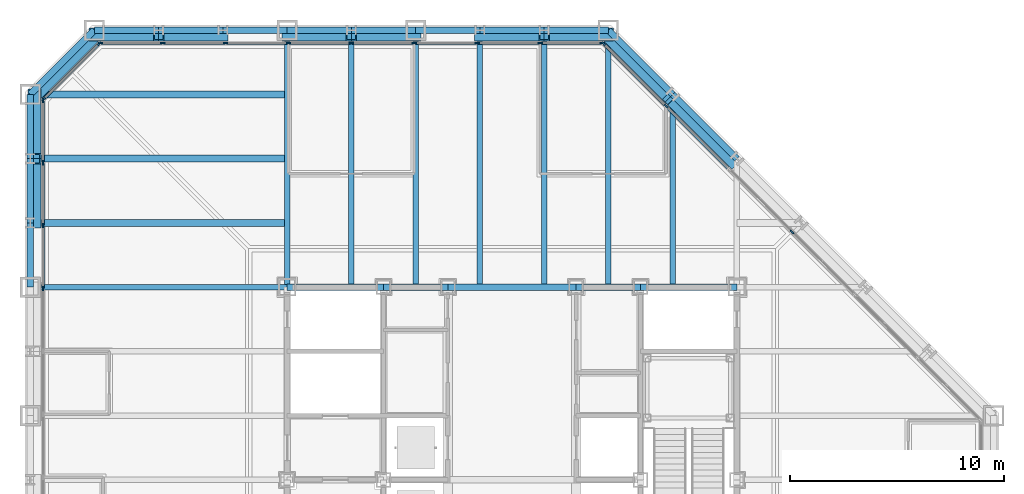
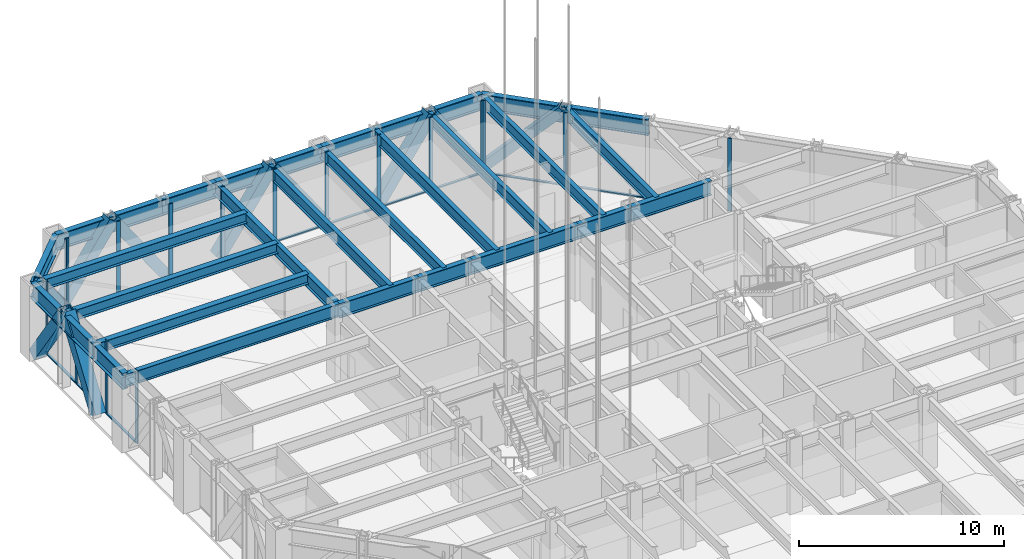
# One storey, part 7 of 26: 43 members, 30 beams, 4 elements without a shape of their own.
"""IFC4 building model written with IfcOpenShell, lengths in metres."""

from ifc_helpers import new_model, si_unit, direction, frame, origin, origin_2d, place, context, subcontext, project, spatial, rectangle, hollow_rectangle, i_section, extrude, material, layer, layer_set, material_profile, profile_set, type_object, element, aggregate, save


model = new_model("IFC4")

# Units and contexts
model_context = context("Model", 3, precision=1e-05, world=origin(), true_north=direction((0.0, 1.0)))
body_context = subcontext(model_context, "Body", "Model", "MODEL_VIEW")
ifc_project = project(units=[si_unit("LENGTHUNIT", "METRE"), si_unit("AREAUNIT", "SQUARE_METRE"), si_unit("VOLUMEUNIT", "CUBIC_METRE"), si_unit("PLANEANGLEUNIT", "RADIAN"), si_unit("MASSUNIT", "GRAM", prefix="KILO")], contexts=[model_context])

# Site, building, storey
site_placement = place(None, origin())
site = spatial("IfcSite", under=ifc_project, at=site_placement, CompositionType="ELEMENT")
building_placement = place(site_placement, origin())
building = spatial("IfcBuilding", under=site, at=building_placement, Name="Chuquiago Exchange Tower", CompositionType="ELEMENT")
storey_placement = place(building_placement, frame((0.0, 0.0, 102.300048828125)))
storey = spatial("IfcBuildingStorey", under=building, at=storey_placement, Name="L21", CompositionType="ELEMENT", Elevation=102.300048828125)

# Beams
ifc_material_1 = material(Name="Steel ASTM A992", Category="steel")
ifc_material_profile_1 = material_profile(ifc_material_1, i_section(OverallWidth=0.25390625, OverallDepth=0.683349609375, WebThickness=0.012451171875, FlangeThickness=0.018798828125, at=origin_2d()), Name="W27X94")
ifc_profile_set_1 = profile_set([ifc_material_profile_1], Name="Steel ASTM A992")
beam_type_1 = type_object("IfcBeamType", Name="B1 W27X94", PredefinedType="BEAM", material=ifc_profile_set_1)
for number, where, z_axis, x_axis, name in (
    (1, (15.0, 33.0, 3.998291015625), (0.0, 1.0, 0.0), (-1.0, 0.0, 0.0), "FB-L22-infill-15_33-15_45-0"),
    (2, (18.0, 33.0, 3.998291015625), (0.0, 1.0, 0.0), (-1.0, 0.0, 0.0), "FB-L22-infill-18_33-18_45-0"),
    (3, (21.0, 33.0, 3.998291015625), (0.0, 1.0, 0.0), (-1.0, 0.0, 0.0), "FB-L22-infill-21_33-21_45-0"),
    (4, (24.0, 33.0, 3.998291015625), (0.0, 1.0, 0.0), (-1.0, 0.0, 0.0), "FB-L22-infill-24_33-24_45-0"),
    (5, (27.0, 33.0, 3.998291015625), (0.0, 1.0, 0.0), (-1.0, 0.0, 0.0), "FB-L22-infill-27_33-27_45-0"),
):
    element("IfcBeam", number, at=place(storey_placement, frame(where, z_axis=z_axis, x_axis=x_axis)), inside=storey, type_object=beam_type_1, Name=name, PredefinedType="BEAM", context=body_context, shape_type="SweptSolid", body=[
        extrude(i_section(OverallWidth=0.25390625, OverallDepth=0.683349609375, WebThickness=0.012451171875, FlangeThickness=0.018798828125, at=origin_2d()), origin(), (0.0, 0.0, 1.0), 12.0),
    ])
beam_1_placement = place(storey_placement, frame((30.0, 33.0, 3.998291015625), z_axis=(0.0, 1.0, 0.0), x_axis=(-1.0, 0.0, 0.0)))
element("IfcBeam", 6, at=beam_1_placement, inside=storey, type_object=beam_type_1, Name="FB-L22-infill-30_33-30_42-0", PredefinedType="BEAM", context=body_context, shape_type="SweptSolid", body=[
    extrude(i_section(OverallWidth=0.25390625, OverallDepth=0.683349609375, WebThickness=0.012451171875, FlangeThickness=0.018798828125, at=origin_2d()), origin(), (0.0, 0.0, 1.0), 9.0),
])
ifc_material_2 = material(Name="Steel ASTM A992", Category="steel")
ifc_material_profile_2 = material_profile(ifc_material_2, i_section(OverallWidth=0.3251953125, OverallDepth=0.612060546875, WebThickness=0.0126953125, FlangeThickness=0.01904296875, at=origin_2d()), Name="W24X104")
ifc_profile_set_2 = profile_set([ifc_material_profile_2], Name="Steel ASTM A992")
beam_type_2 = type_object("IfcBeamType", Name="B2 W24X104", PredefinedType="BEAM", material=ifc_profile_set_2)
for number, where, z_axis, x_axis, name in (
    (7, (12.0, 36.0, 4.033935546875), (-1.0, 0.0, 0.0), (0.0, -1.0, 0.0), "FB-L22-corner-12_36--0_36-0"),
    (8, (12.0, 39.0, 4.033935546875), (-1.0, 0.0, 0.0), (0.0, -1.0, 0.0), "FB-L22-corner-12_39--0_39-0"),
    (9, (12.0, 42.0, 4.033935546875), (-1.0, 0.0, 0.0), (0.0, -1.0, 0.0), "FB-L22-corner-12_42--0_42-0"),
):
    element("IfcBeam", number, at=place(storey_placement, frame(where, z_axis=z_axis, x_axis=x_axis)), inside=storey, type_object=beam_type_2, Name=name, PredefinedType="BEAM", context=body_context, shape_type="SweptSolid", body=[
        extrude(i_section(OverallWidth=0.3251953125, OverallDepth=0.612060546875, WebThickness=0.0126953125, FlangeThickness=0.01904296875, at=origin_2d()), origin(), (0.0, 0.0, 1.0), 12.0),
    ])
ifc_material_3 = material(Name="Steel ASTM A992", Category="steel")
ifc_material_profile_3 = material_profile(ifc_material_3, i_section(OverallWidth=0.2919921875, OverallDepth=0.8583984375, WebThickness=0.01708984375, FlangeThickness=0.031005859375, at=origin_2d()), Name="W33X169")
ifc_profile_set_3 = profile_set([ifc_material_profile_3], Name="Steel ASTM A992")
beam_type_3 = type_object("IfcBeamType", Name="B3 W33X169", PredefinedType="BEAM", material=ifc_profile_set_3)
beam_2_placement = place(storey_placement, frame((12.0, 33.0, 3.91064453125), z_axis=(1.0, 0.0, 0.0), x_axis=(0.0, 1.0, 0.0)))
element("IfcBeam", 10, at=beam_2_placement, inside=storey, type_object=beam_type_3, Name="CB-L22-12_33-16.5_33", PredefinedType="BEAM", context=body_context, shape_type="SweptSolid", body=[
    extrude(i_section(OverallWidth=0.2919921875, OverallDepth=0.8583984375, WebThickness=0.01708984375, FlangeThickness=0.031005859375, at=origin_2d()), origin(), (0.0, 0.0, 1.0), 4.5),
])
beam_3_placement = place(storey_placement, frame((16.5, 33.0, 3.91064453125), z_axis=(1.0, 0.0, 0.0), x_axis=(0.0, 1.0, 0.0)))
element("IfcBeam", 11, at=beam_3_placement, inside=storey, type_object=beam_type_3, Name="CB-L22-16.5_33-19.5_33", PredefinedType="BEAM", context=body_context, shape_type="SweptSolid", body=[
    extrude(i_section(OverallWidth=0.2919921875, OverallDepth=0.8583984375, WebThickness=0.01708984375, FlangeThickness=0.031005859375, at=origin_2d()), origin(), (0.0, 0.0, 1.0), 3.0),
])
beam_4_placement = place(storey_placement, frame((19.5, 33.0, 3.91064453125), z_axis=(1.0, 0.0, 0.0), x_axis=(0.0, 1.0, 0.0)))
element("IfcBeam", 12, at=beam_4_placement, inside=storey, type_object=beam_type_3, Name="CB-L22-19.5_33-25.5_33", PredefinedType="BEAM", context=body_context, shape_type="SweptSolid", body=[
    extrude(i_section(OverallWidth=0.2919921875, OverallDepth=0.8583984375, WebThickness=0.01708984375, FlangeThickness=0.031005859375, at=origin_2d()), origin(), (0.0, 0.0, 1.0), 6.0),
])
beam_5_placement = place(storey_placement, frame((25.5, 33.0, 3.91064453125), z_axis=(1.0, 0.0, 0.0), x_axis=(0.0, 1.0, 0.0)))
element("IfcBeam", 13, at=beam_5_placement, inside=storey, type_object=beam_type_3, Name="CB-L22-25.5_33-28.5_33", PredefinedType="BEAM", context=body_context, shape_type="SweptSolid", body=[
    extrude(i_section(OverallWidth=0.2919921875, OverallDepth=0.8583984375, WebThickness=0.01708984375, FlangeThickness=0.031005859375, at=origin_2d()), origin(), (0.0, 0.0, 1.0), 3.0),
])
beam_6_placement = place(storey_placement, frame((28.5, 33.0, 3.91064453125), z_axis=(1.0, 0.0, 0.0), x_axis=(0.0, 1.0, 0.0)))
element("IfcBeam", 14, at=beam_6_placement, inside=storey, type_object=beam_type_3, Name="CB-L22-28.5_33-33_33", PredefinedType="BEAM", context=body_context, shape_type="SweptSolid", body=[
    extrude(i_section(OverallWidth=0.2919921875, OverallDepth=0.8583984375, WebThickness=0.01708984375, FlangeThickness=0.031005859375, at=origin_2d()), origin(), (0.0, 0.0, 1.0), 4.5),
])

# Curtain wall, members
ifc_material_4 = material(Name="Aluminium curtain wall system", Category="aluminium")
ifc_layer_1 = layer(ifc_material_4, 0.22509765625)
ifc_layer_set_1 = layer_set([ifc_layer_1], Name="CW2 office curtain wall")
curtain_wall_type_1 = type_object("IfcCurtainWallType", Name="CW2 office curtain wall", PredefinedType="NOTDEFINED", material=ifc_layer_set_1)
curtain_wall_1_placement = place(storey_placement, origin())
curtain_wall_1 = element("IfcCurtainWall", 15, at=curtain_wall_1_placement, inside=storey, type_object=curtain_wall_type_1, Name="CW2 curtain wall L21", PredefinedType="NOTDEFINED")
ifc_material_5 = material(Name="Aluminium mullion, pale anodised", Category="aluminium")
ifc_material_profile_4 = material_profile(ifc_material_5, rectangle(XDim=0.06494140625, YDim=0.22509765625, at=origin_2d()), Name="AL 65x225")
ifc_profile_set_4 = profile_set([ifc_material_profile_4], Name="Aluminium mullion, pale anodised")
member_type_1 = type_object("IfcMemberType", Name="CW2-M mullion 65x225", PredefinedType="MULLION", material=ifc_profile_set_4)
member_1_placement = place(storey_placement, frame((26.718994140625, 44.39990234375, 0.0), z_axis=(0.0, 0.0, 1.0), x_axis=(0.0, -1.0, 0.0)))
member_1 = element("IfcMember", 16, at=member_1_placement, type_object=member_type_1, Name="CW2 mullion 1", PredefinedType="MULLION", context=body_context, shape_type="SweptSolid", body=[
    extrude(rectangle(XDim=0.06494140625, YDim=0.22509765625, at=origin_2d()), origin(), (0.0, 0.0, 1.0), 4.33984375),
])
member_2_placement = place(storey_placement, frame((23.813720703125, 44.39990234375, 0.0), z_axis=(0.0, 0.0, 1.0), x_axis=(0.0, -1.0, 0.0)))
member_2 = element("IfcMember", 17, at=member_2_placement, type_object=member_type_1, Name="CW2 mullion 2", PredefinedType="MULLION", context=body_context, shape_type="SweptSolid", body=[
    extrude(rectangle(XDim=0.06494140625, YDim=0.22509765625, at=origin_2d()), origin(), (0.0, 0.0, 1.0), 4.33984375),
])
member_3_placement = place(storey_placement, frame((20.875732421875, 44.39990234375, 0.0), z_axis=(0.0, 0.0, 1.0), x_axis=(0.0, -1.0, 0.0)))
member_3 = element("IfcMember", 18, at=member_3_placement, type_object=member_type_1, Name="CW2 mullion 3", PredefinedType="MULLION", context=body_context, shape_type="SweptSolid", body=[
    extrude(rectangle(XDim=0.06494140625, YDim=0.22509765625, at=origin_2d()), origin(), (0.0, 0.0, 1.0), 4.33984375),
])
member_4_placement = place(storey_placement, frame((17.93798828125, 44.39990234375, 0.0), z_axis=(0.0, 0.0, 1.0), x_axis=(0.0, -1.0, 0.0)))
member_4 = element("IfcMember", 19, at=member_4_placement, type_object=member_type_1, Name="CW2 mullion 4", PredefinedType="MULLION", context=body_context, shape_type="SweptSolid", body=[
    extrude(rectangle(XDim=0.06494140625, YDim=0.22509765625, at=origin_2d()), origin(), (0.0, 0.0, 1.0), 4.33984375),
])
member_5_placement = place(storey_placement, frame((15.0, 44.39990234375, 0.0), z_axis=(0.0, 0.0, 1.0), x_axis=(0.0, -1.0, 0.0)))
member_5 = element("IfcMember", 20, at=member_5_placement, type_object=member_type_1, Name="CW2 mullion 5", PredefinedType="MULLION", context=body_context, shape_type="SweptSolid", body=[
    extrude(rectangle(XDim=0.06494140625, YDim=0.22509765625, at=origin_2d()), origin(), (0.0, 0.0, 1.0), 4.33984375),
])
member_6_placement = place(storey_placement, frame((12.06201171875, 44.39990234375, 0.0), z_axis=(0.0, 0.0, 1.0), x_axis=(0.0, -1.0, 0.0)))
member_6 = element("IfcMember", 21, at=member_6_placement, type_object=member_type_1, Name="CW2 mullion 6", PredefinedType="MULLION", context=body_context, shape_type="SweptSolid", body=[
    extrude(rectangle(XDim=0.06494140625, YDim=0.22509765625, at=origin_2d()), origin(), (0.0, 0.0, 1.0), 4.33984375),
])
member_7_placement = place(storey_placement, frame((9.124267578125, 44.39990234375, 0.0), z_axis=(0.0, 0.0, 1.0), x_axis=(0.0, -1.0, 0.0)))
member_7 = element("IfcMember", 22, at=member_7_placement, type_object=member_type_1, Name="CW2 mullion 7", PredefinedType="MULLION", context=body_context, shape_type="SweptSolid", body=[
    extrude(rectangle(XDim=0.06494140625, YDim=0.22509765625, at=origin_2d()), origin(), (0.0, 0.0, 1.0), 4.33984375),
])
member_8_placement = place(storey_placement, frame((6.186279296875, 44.39990234375, 0.0), z_axis=(0.0, 0.0, 1.0), x_axis=(0.0, -1.0, 0.0)))
member_8 = element("IfcMember", 23, at=member_8_placement, type_object=member_type_1, Name="CW2 mullion 8", PredefinedType="MULLION", context=body_context, shape_type="SweptSolid", body=[
    extrude(rectangle(XDim=0.06494140625, YDim=0.22509765625, at=origin_2d()), origin(), (0.0, 0.0, 1.0), 4.33984375),
])
member_9_placement = place(storey_placement, frame((3.281005859375, 44.39990234375, 0.0), z_axis=(0.0, 0.0, 1.0), x_axis=(0.0, -1.0, 0.0)))
member_9 = element("IfcMember", 24, at=member_9_placement, type_object=member_type_1, Name="CW2 mullion 9", PredefinedType="MULLION", context=body_context, shape_type="SweptSolid", body=[
    extrude(rectangle(XDim=0.06494140625, YDim=0.22509765625, at=origin_2d()), origin(), (0.0, 0.0, 1.0), 4.33984375),
])

curtain_wall_2_placement = place(storey_placement, origin())
curtain_wall_2 = element("IfcCurtainWall", 25, at=curtain_wall_2_placement, inside=storey, type_object=curtain_wall_type_1, Name="CW2 curtain wall L21", PredefinedType="NOTDEFINED")
member_10_placement = place(storey_placement, frame((0.60009765625, 41.718994140625, 0.0), z_axis=(0.0, 0.0, 1.0), x_axis=(1.0, 0.0, 0.0)))
member_10 = element("IfcMember", 26, at=member_10_placement, type_object=member_type_1, Name="CW2 mullion 1", PredefinedType="MULLION", context=body_context, shape_type="SweptSolid", body=[
    extrude(rectangle(XDim=0.06494140625, YDim=0.22509765625, at=origin_2d()), origin(), (0.0, 0.0, 1.0), 4.33984375),
])
member_11_placement = place(storey_placement, frame((0.60009765625, 38.813720703125, 0.0), z_axis=(0.0, 0.0, 1.0), x_axis=(1.0, 0.0, 0.0)))
member_11 = element("IfcMember", 27, at=member_11_placement, type_object=member_type_1, Name="CW2 mullion 2", PredefinedType="MULLION", context=body_context, shape_type="SweptSolid", body=[
    extrude(rectangle(XDim=0.06494140625, YDim=0.22509765625, at=origin_2d()), origin(), (0.0, 0.0, 1.0), 4.33984375),
])
member_12_placement = place(storey_placement, frame((0.60009765625, 35.875732421875, 0.0), z_axis=(0.0, 0.0, 1.0), x_axis=(1.0, 0.0, 0.0)))
member_12 = element("IfcMember", 28, at=member_12_placement, type_object=member_type_1, Name="CW2 mullion 3", PredefinedType="MULLION", context=body_context, shape_type="SweptSolid", body=[
    extrude(rectangle(XDim=0.06494140625, YDim=0.22509765625, at=origin_2d()), origin(), (0.0, 0.0, 1.0), 4.33984375),
])
member_13_placement = place(storey_placement, frame((0.60009765625, 32.93798828125, 0.0), z_axis=(0.0, 0.0, 1.0), x_axis=(1.0, 0.0, 0.0)))
member_13 = element("IfcMember", 29, at=member_13_placement, type_object=member_type_1, Name="CW2 mullion 4", PredefinedType="MULLION", context=body_context, shape_type="SweptSolid", body=[
    extrude(rectangle(XDim=0.06494140625, YDim=0.22509765625, at=origin_2d()), origin(), (0.0, 0.0, 1.0), 4.33984375),
])

# Member
ifc_material_6 = material(Name="Aluminium transom, pale anodised", Category="aluminium")
ifc_material_profile_5 = material_profile(ifc_material_6, rectangle(XDim=0.139892578125, YDim=0.06494140625, at=origin_2d()), Name="AL 140x65")
ifc_profile_set_5 = profile_set([ifc_material_profile_5], Name="Aluminium transom, pale anodised")
member_type_2 = type_object("IfcMemberType", Name="CW2-T transom 65x140", PredefinedType="MULLION", material=ifc_profile_set_5)
member_14_placement = place(storey_placement, frame((26.6865234375, 44.39990234375, 0.032470703125), z_axis=(-1.0, 0.0, 0.0), x_axis=(0.0, -1.0, 0.0)))
member_14 = element("IfcMember", 30, at=member_14_placement, type_object=member_type_2, Name="CW2 transom 1.1", PredefinedType="MULLION", context=body_context, shape_type="SweptSolid", body=[
    extrude(rectangle(XDim=0.139892578125, YDim=0.06494140625, at=origin_2d()), origin(), (0.0, 0.0, 1.0), 2.84033203125),
])

member_15_placement = place(storey_placement, frame((23.781005859375, 44.39990234375, 0.032470703125), z_axis=(-1.0, 0.0, 0.0), x_axis=(0.0, -1.0, 0.0)))
member_15 = element("IfcMember", 31, at=member_15_placement, type_object=member_type_2, Name="CW2 transom 2.1", PredefinedType="MULLION", context=body_context, shape_type="SweptSolid", body=[
    extrude(rectangle(XDim=0.139892578125, YDim=0.06494140625, at=origin_2d()), origin(), (0.0, 0.0, 1.0), 2.872802734375),
])

member_16_placement = place(storey_placement, frame((20.84326171875, 44.39990234375, 0.032470703125), z_axis=(-1.0, 0.0, 0.0), x_axis=(0.0, -1.0, 0.0)))
member_16 = element("IfcMember", 32, at=member_16_placement, type_object=member_type_2, Name="CW2 transom 3.1", PredefinedType="MULLION", context=body_context, shape_type="SweptSolid", body=[
    extrude(rectangle(XDim=0.139892578125, YDim=0.06494140625, at=origin_2d()), origin(), (0.0, 0.0, 1.0), 2.872802734375),
])

member_17_placement = place(storey_placement, frame((17.9052734375, 44.39990234375, 0.032470703125), z_axis=(-1.0, 0.0, 0.0), x_axis=(0.0, -1.0, 0.0)))
member_17 = element("IfcMember", 33, at=member_17_placement, type_object=member_type_2, Name="CW2 transom 4.1", PredefinedType="MULLION", context=body_context, shape_type="SweptSolid", body=[
    extrude(rectangle(XDim=0.139892578125, YDim=0.06494140625, at=origin_2d()), origin(), (0.0, 0.0, 1.0), 2.872802734375),
])

member_18_placement = place(storey_placement, frame((14.967529296875, 44.39990234375, 0.032470703125), z_axis=(-1.0, 0.0, 0.0), x_axis=(0.0, -1.0, 0.0)))
member_18 = element("IfcMember", 34, at=member_18_placement, type_object=member_type_2, Name="CW2 transom 5.1", PredefinedType="MULLION", context=body_context, shape_type="SweptSolid", body=[
    extrude(rectangle(XDim=0.139892578125, YDim=0.06494140625, at=origin_2d()), origin(), (0.0, 0.0, 1.0), 2.872802734375),
])

member_19_placement = place(storey_placement, frame((12.029541015625, 44.39990234375, 0.032470703125), z_axis=(-1.0, 0.0, 0.0), x_axis=(0.0, -1.0, 0.0)))
member_19 = element("IfcMember", 35, at=member_19_placement, type_object=member_type_2, Name="CW2 transom 6.1", PredefinedType="MULLION", context=body_context, shape_type="SweptSolid", body=[
    extrude(rectangle(XDim=0.139892578125, YDim=0.06494140625, at=origin_2d()), origin(), (0.0, 0.0, 1.0), 2.872802734375),
])

member_20_placement = place(storey_placement, frame((9.091796875, 44.39990234375, 0.032470703125), z_axis=(-1.0, 0.0, 0.0), x_axis=(0.0, -1.0, 0.0)))
member_20 = element("IfcMember", 36, at=member_20_placement, type_object=member_type_2, Name="CW2 transom 7.1", PredefinedType="MULLION", context=body_context, shape_type="SweptSolid", body=[
    extrude(rectangle(XDim=0.139892578125, YDim=0.06494140625, at=origin_2d()), origin(), (0.0, 0.0, 1.0), 2.872802734375),
])

member_21_placement = place(storey_placement, frame((6.15380859375, 44.39990234375, 0.032470703125), z_axis=(-1.0, 0.0, 0.0), x_axis=(0.0, -1.0, 0.0)))
member_21 = element("IfcMember", 37, at=member_21_placement, type_object=member_type_2, Name="CW2 transom 8.1", PredefinedType="MULLION", context=body_context, shape_type="SweptSolid", body=[
    extrude(rectangle(XDim=0.139892578125, YDim=0.06494140625, at=origin_2d()), origin(), (0.0, 0.0, 1.0), 2.84033203125),
])

aggregate(curtain_wall_1, [member_1, member_2, member_3, member_4, member_5, member_6, member_7, member_8, member_9, member_14, member_15, member_16, member_17, member_18, member_19, member_20, member_21])

member_22_placement = place(storey_placement, frame((0.60009765625, 41.6865234375, 0.032470703125), z_axis=(0.0, -1.0, 0.0), x_axis=(1.0, 0.0, 0.0)))
member_22 = element("IfcMember", 38, at=member_22_placement, type_object=member_type_2, Name="CW2 transom 1.1", PredefinedType="MULLION", context=body_context, shape_type="SweptSolid", body=[
    extrude(rectangle(XDim=0.139892578125, YDim=0.06494140625, at=origin_2d()), origin(), (0.0, 0.0, 1.0), 2.84033203125),
])

member_23_placement = place(storey_placement, frame((0.60009765625, 38.781005859375, 0.032470703125), z_axis=(0.0, -1.0, 0.0), x_axis=(1.0, 0.0, 0.0)))
member_23 = element("IfcMember", 39, at=member_23_placement, type_object=member_type_2, Name="CW2 transom 2.1", PredefinedType="MULLION", context=body_context, shape_type="SweptSolid", body=[
    extrude(rectangle(XDim=0.139892578125, YDim=0.06494140625, at=origin_2d()), origin(), (0.0, 0.0, 1.0), 2.872802734375),
])

member_24_placement = place(storey_placement, frame((0.60009765625, 35.84326171875, 0.032470703125), z_axis=(0.0, -1.0, 0.0), x_axis=(1.0, 0.0, 0.0)))
member_24 = element("IfcMember", 40, at=member_24_placement, type_object=member_type_2, Name="CW2 transom 3.1", PredefinedType="MULLION", context=body_context, shape_type="SweptSolid", body=[
    extrude(rectangle(XDim=0.139892578125, YDim=0.06494140625, at=origin_2d()), origin(), (0.0, 0.0, 1.0), 2.872802734375),
])

aggregate(curtain_wall_2, [member_10, member_11, member_12, member_13, member_22, member_23, member_24])

# Curtain wall, members
ifc_material_7 = material(Name="Aluminium curtain wall system", Category="aluminium")
ifc_layer_2 = layer(ifc_material_7, 0.199951171875)
ifc_layer_set_2 = layer_set([ifc_layer_2], Name="CW3 facet curtain wall")
curtain_wall_type_2 = type_object("IfcCurtainWallType", Name="CW3 facet curtain wall", PredefinedType="NOTDEFINED", material=ifc_layer_set_2)
curtain_wall_3_placement = place(storey_placement, origin())
curtain_wall_3 = element("IfcCurtainWall", 41, at=curtain_wall_3_placement, inside=storey, type_object=curtain_wall_type_2, Name="CW3 curtain wall L21", PredefinedType="NOTDEFINED")
ifc_material_8 = material(Name="Aluminium mullion, pale anodised", Category="aluminium")
ifc_material_profile_6 = material_profile(ifc_material_8, rectangle(XDim=0.06494140625, YDim=0.199951171875, at=origin_2d()), Name="AL 65x200")
ifc_profile_set_6 = profile_set([ifc_material_profile_6], Name="Aluminium mullion, pale anodised")
member_type_3 = type_object("IfcMemberType", Name="CW3-M mullion 65x200", PredefinedType="MULLION", material=ifc_profile_set_6)
member_25_placement = place(storey_placement, frame((35.57568359375, 35.57568359375, 0.0), z_axis=(0.0, 0.0, 1.0), x_axis=(-0.707106781187, -0.707106781187, 0.0)))
member_25 = element("IfcMember", 42, at=member_25_placement, type_object=member_type_3, Name="CW3 mullion 4", PredefinedType="MULLION", context=body_context, shape_type="SweptSolid", body=[
    extrude(rectangle(XDim=0.06494140625, YDim=0.199951171875, at=origin_2d()), origin(), (0.0, 0.0, 1.0), 4.33984375),
])
member_26_placement = place(storey_placement, frame((29.69287109375, 41.45849609375, 0.0), z_axis=(0.0, 0.0, 1.0), x_axis=(-0.707106781187, -0.707106781187, 0.0)))
member_26 = element("IfcMember", 43, at=member_26_placement, type_object=member_type_3, Name="CW3 mullion 6", PredefinedType="MULLION", context=body_context, shape_type="SweptSolid", body=[
    extrude(rectangle(XDim=0.06494140625, YDim=0.199951171875, at=origin_2d()), origin(), (0.0, 0.0, 1.0), 4.33984375),
])
member_27_placement = place(storey_placement, frame((26.7744140625, 44.376953125, 0.0), z_axis=(0.0, 0.0, 1.0), x_axis=(-0.707106781187, -0.707106781187, 0.0)))
member_27 = element("IfcMember", 44, at=member_27_placement, type_object=member_type_3, Name="CW3 mullion 7", PredefinedType="MULLION", context=body_context, shape_type="SweptSolid", body=[
    extrude(rectangle(XDim=0.06494140625, YDim=0.199951171875, at=origin_2d()), origin(), (0.0, 0.0, 1.0), 4.33984375),
])

curtain_wall_4_placement = place(storey_placement, origin())
curtain_wall_4 = element("IfcCurtainWall", 45, at=curtain_wall_4_placement, inside=storey, type_object=curtain_wall_type_2, Name="CW3 curtain wall L21", PredefinedType="NOTDEFINED")
member_28_placement = place(storey_placement, frame((3.2255859375, 44.376953125, 0.0), z_axis=(0.0, 0.0, 1.0), x_axis=(0.707106781187, -0.707106781187, 0.0)))
member_28 = element("IfcMember", 46, at=member_28_placement, type_object=member_type_3, Name="CW3 mullion 1", PredefinedType="MULLION", context=body_context, shape_type="SweptSolid", body=[
    extrude(rectangle(XDim=0.06494140625, YDim=0.199951171875, at=origin_2d()), origin(), (0.0, 0.0, 1.0), 4.33984375),
])
member_29_placement = place(storey_placement, frame((0.623046875, 41.7744140625, 0.0), z_axis=(0.0, 0.0, 1.0), x_axis=(0.707106781187, -0.707106781187, 0.0)))
member_29 = element("IfcMember", 47, at=member_29_placement, type_object=member_type_3, Name="CW3 mullion 2", PredefinedType="MULLION", context=body_context, shape_type="SweptSolid", body=[
    extrude(rectangle(XDim=0.06494140625, YDim=0.199951171875, at=origin_2d()), origin(), (0.0, 0.0, 1.0), 4.33984375),
])

# Member
ifc_material_9 = material(Name="Aluminium transom, pale anodised", Category="aluminium")
ifc_material_profile_7 = material_profile(ifc_material_9, rectangle(XDim=0.139892578125, YDim=0.06494140625, at=origin_2d()), Name="AL 140x65")
ifc_profile_set_7 = profile_set([ifc_material_profile_7], Name="Aluminium transom, pale anodised")
member_type_4 = type_object("IfcMemberType", Name="CW3-T transom 65x140", PredefinedType="MULLION", material=ifc_profile_set_7)
member_30_placement = place(storey_placement, frame((32.611328125, 38.5400390625, 0.032470703125), z_axis=(-0.707106781187, 0.707106781187, 0.0), x_axis=(-0.707106781187, -0.707106781187, 0.0)))
member_30 = element("IfcMember", 48, at=member_30_placement, type_object=member_type_4, Name="CW3 transom 5.1", PredefinedType="MULLION", context=body_context, shape_type="SweptSolid", body=[
    extrude(rectangle(XDim=0.139892578125, YDim=0.06494140625, at=origin_2d()), origin(), (0.0, 0.0, 1.0), 4.094970703125),
])

member_31_placement = place(storey_placement, frame((29.669921875, 41.4814453125, 0.032470703125), z_axis=(-0.707106781187, 0.707106781187, 0.0), x_axis=(-0.707106781187, -0.707106781187, 0.0)))
member_31 = element("IfcMember", 49, at=member_31_placement, type_object=member_type_4, Name="CW3 transom 6.1", PredefinedType="MULLION", context=body_context, shape_type="SweptSolid", body=[
    extrude(rectangle(XDim=0.139892578125, YDim=0.06494140625, at=origin_2d()), origin(), (0.0, 0.0, 1.0), 4.0625),
])

aggregate(curtain_wall_3, [member_25, member_26, member_27, member_30, member_31])

member_32_placement = place(storey_placement, frame((3.20263671875, 44.35400390625, 0.032470703125), z_axis=(-0.707106781187, -0.707106781187, 0.0), x_axis=(0.707106781187, -0.707106781187, 0.0)))
member_32 = element("IfcMember", 50, at=member_32_placement, type_object=member_type_4, Name="CW3 transom 1.1", PredefinedType="MULLION", context=body_context, shape_type="SweptSolid", body=[
    extrude(rectangle(XDim=0.139892578125, YDim=0.06494140625, at=origin_2d()), origin(), (0.0, 0.0, 1.0), 3.61572265625),
])

aggregate(curtain_wall_4, [member_28, member_29, member_32])

# Beams
ifc_material_10 = material(Name="Steel ASTM A992", Category="steel")
ifc_material_profile_8 = material_profile(ifc_material_10, i_section(OverallWidth=0.2666015625, OverallDepth=0.76953125, WebThickness=0.015625, FlangeThickness=0.025390625, at=origin_2d()), Name="W30X132")
ifc_profile_set_8 = profile_set([ifc_material_profile_8], Name="Steel ASTM A992")
beam_type_4 = type_object("IfcBeamType", Name="G1 W30X132", PredefinedType="BEAM", material=ifc_profile_set_8)
for number, where, z_axis, x_axis, name in (
    (51, (12.0, 33.0, 3.955078125), (0.0, 1.0, 0.0), (-1.0, 0.0, 0.0), "FB-L22-girder-12_33-12_45-0"),
    (52, (12.0, 33.0, 3.955078125), (-1.0, 0.0, 0.0), (0.0, -1.0, 0.0), "FB-L22-girder-12_33--0_33-0"),
):
    element("IfcBeam", number, at=place(storey_placement, frame(where, z_axis=z_axis, x_axis=x_axis)), inside=storey, type_object=beam_type_4, Name=name, PredefinedType="BEAM", context=body_context, shape_type="SweptSolid", body=[
        extrude(i_section(OverallWidth=0.2666015625, OverallDepth=0.76953125, WebThickness=0.015625, FlangeThickness=0.025390625, at=origin_2d()), origin(), (0.0, 0.0, 1.0), 12.0),
    ])

# Members
ifc_material_11 = material(Name="Steel ASTM A500 Grade C", Category="steel")
ifc_material_profile_9 = material_profile(ifc_material_11, hollow_rectangle(XDim=0.508056640625, YDim=0.508056640625, WallThickness=0.017822265625, at=origin_2d()), Name="HSS20X20X3/4")
ifc_profile_set_9 = profile_set([ifc_material_profile_9], Name="Steel ASTM A500 Grade C")
member_type_5 = type_object("IfcMemberType", Name="LB1 HSS20X20X3/4", PredefinedType="BRACE", material=ifc_profile_set_9)
for number, where, z_axis, x_axis, name in (
    (53, (32.822509765625, 38.822509765625, 0.0), (-0.494305423695, 0.494305423695, 0.715069434538), (-0.707106781187, -0.707106781187, 0.0), "LB-L21-33_39-30_42"),
    (54, (26.822509765625, 44.822509765625, 0.0), (0.494305423695, -0.494305423695, 0.715069434538), (0.707106781187, 0.707106781187, 0.0), "LB-L21-30_42-27_45"),
    (55, (3.177490234375, 44.822509765625, 0.0), (-0.494305423695, -0.494305423695, 0.715069434538), (0.707106781187, -0.707106781187, 0.0), "LB-L21-3_45-0_42"),
):
    element("IfcMember", number, at=place(storey_placement, frame(where, z_axis=z_axis, x_axis=x_axis)), inside=storey, type_object=member_type_5, Name=name, PredefinedType="BRACE", context=body_context, shape_type="SweptSolid", body=[
        extrude(hollow_rectangle(XDim=0.508056640625, YDim=0.508056640625, WallThickness=0.017822265625, at=origin_2d()), origin(), (0.0, 0.0, 1.0), 6.069091796875),
    ])
ifc_material_12 = material(Name="Steel ASTM A572 Grade 50", Category="steel")
ifc_material_profile_10 = material_profile(ifc_material_12, hollow_rectangle(XDim=0.60009765625, YDim=0.60009765625, WallThickness=0.06005859375, at=origin_2d()), Name="BOX600X600X60")
ifc_profile_set_10 = profile_set([ifc_material_profile_10], Name="Steel ASTM A572 Grade 50")
member_type_6 = type_object("IfcMemberType", Name="MB2 BOX600X600X60", PredefinedType="BRACE", material=ifc_profile_set_10)
for number, where, z_axis, x_axis, name in (
    (56, (27.0, 44.794921875, 0.0), (-0.56863232121, 0.0, 0.822591808417), (0.0, -1.0, 0.0), "Mega diagonal L21 N face"),
    (57, (21.0, 44.794921875, 0.0), (0.56863232121, 0.0, 0.822591808417), (0.0, 1.0, 0.0), "Mega diagonal L21 N face"),
    (58, (18.0, 44.794921875, 0.0), (-0.56863232121, 0.0, 0.822591808417), (0.0, -1.0, 0.0), "Mega diagonal L21 N face"),
    (59, (12.0, 44.794921875, 0.0), (0.56863232121, 0.0, 0.822591808417), (0.0, 1.0, 0.0), "Mega diagonal L21 N face"),
    (60, (9.0, 44.794921875, 0.0), (-0.56863232121, 0.0, 0.822591808417), (0.0, -1.0, 0.0), "Mega diagonal L21 N face"),
    (61, (3.0, 44.794921875, 0.0), (0.56863232121, 0.0, 0.822591808417), (0.0, 1.0, 0.0), "Mega diagonal L21 N face"),
    (62, (0.205078125, 42.0, 0.0), (0.0, -0.56863232121, 0.822591808417), (1.0, 0.0, 0.0), "Mega diagonal L21 W face"),
    (63, (0.205078125, 36.0, 0.0), (0.0, 0.56863232121, 0.822591808417), (-1.0, 0.0, 0.0), "Mega diagonal L21 W face"),
):
    element("IfcMember", number, at=place(storey_placement, frame(where, z_axis=z_axis, x_axis=x_axis)), inside=storey, type_object=member_type_6, Name=name, PredefinedType="BRACE", context=body_context, shape_type="SweptSolid", body=[
        extrude(hollow_rectangle(XDim=0.60009765625, YDim=0.60009765625, WallThickness=0.06005859375, at=origin_2d()), origin(), (0.0, 0.0, 1.0), 5.27587890625),
    ])

# Beams
ifc_material_13 = material(Name="Steel ASTM A992", Category="steel")
ifc_material_profile_11 = material_profile(ifc_material_13, i_section(OverallWidth=0.309814453125, OverallDepth=0.949951171875, WebThickness=0.0244140625, FlangeThickness=0.0439453125, at=origin_2d()), Name="W36X256")
ifc_profile_set_11 = profile_set([ifc_material_profile_11], Name="Steel ASTM A992")
beam_type_5 = type_object("IfcBeamType", Name="SP2 W36X256", PredefinedType="SPANDREL", material=ifc_profile_set_11)
for number, where, z_axis, x_axis, name in (
    (64, (33.0, 39.0, 3.864990234375), (-0.707106781187, 0.707106781187, 0.0), (-0.707106781187, -0.707106781187, 0.0), "SPB-L22-33_39-30_42"),
    (65, (30.0, 42.0, 3.864990234375), (-0.707106781187, 0.707106781187, 0.0), (-0.707106781187, -0.707106781187, 0.0), "SPB-L22-30_42-27_45"),
):
    element("IfcBeam", number, at=place(storey_placement, frame(where, z_axis=z_axis, x_axis=x_axis)), inside=storey, type_object=beam_type_5, Name=name, PredefinedType="SPANDREL", context=body_context, shape_type="SweptSolid", body=[
        extrude(i_section(OverallWidth=0.309814453125, OverallDepth=0.949951171875, WebThickness=0.0244140625, FlangeThickness=0.0439453125, at=origin_2d()), origin(), (0.0, 0.0, 1.0), 4.24267578125),
    ])
for number, where, z_axis, x_axis, name in (
    (66, (27.0, 45.0, 3.864990234375), (-1.0, 0.0, 0.0), (0.0, -1.0, 0.0), "SPB-L22-27_45-24_45"),
    (67, (24.0, 45.0, 3.864990234375), (-1.0, 0.0, 0.0), (0.0, -1.0, 0.0), "SPB-L22-24_45-21_45"),
    (68, (21.0, 45.0, 3.864990234375), (-1.0, 0.0, 0.0), (0.0, -1.0, 0.0), "SPB-L22-21_45-18_45"),
    (69, (18.0, 45.0, 3.864990234375), (-1.0, 0.0, 0.0), (0.0, -1.0, 0.0), "SPB-L22-18_45-15_45"),
    (70, (15.0, 45.0, 3.864990234375), (-1.0, 0.0, 0.0), (0.0, -1.0, 0.0), "SPB-L22-15_45-12_45"),
    (71, (12.0, 45.0, 3.864990234375), (-1.0, 0.0, 0.0), (0.0, -1.0, 0.0), "SPB-L22-12_45-9_45"),
    (72, (9.0, 45.0, 3.864990234375), (-1.0, 0.0, 0.0), (0.0, -1.0, 0.0), "SPB-L22-9_45-6_45"),
    (73, (6.0, 45.0, 3.864990234375), (-1.0, 0.0, 0.0), (0.0, -1.0, 0.0), "SPB-L22-6_45-3_45"),
):
    element("IfcBeam", number, at=place(storey_placement, frame(where, z_axis=z_axis, x_axis=x_axis)), inside=storey, type_object=beam_type_5, Name=name, PredefinedType="SPANDREL", context=body_context, shape_type="SweptSolid", body=[
        extrude(i_section(OverallWidth=0.309814453125, OverallDepth=0.949951171875, WebThickness=0.0244140625, FlangeThickness=0.0439453125, at=origin_2d()), origin(), (0.0, 0.0, 1.0), 3.0),
    ])
beam_7_placement = place(storey_placement, frame((3.0, 45.0, 3.864990234375), z_axis=(-0.707106781187, -0.707106781187, 0.0), x_axis=(0.707106781187, -0.707106781187, 0.0)))
element("IfcBeam", 74, at=beam_7_placement, inside=storey, type_object=beam_type_5, Name="SPB-L22-3_45-0_42", PredefinedType="SPANDREL", context=body_context, shape_type="SweptSolid", body=[
    extrude(i_section(OverallWidth=0.309814453125, OverallDepth=0.949951171875, WebThickness=0.0244140625, FlangeThickness=0.0439453125, at=origin_2d()), origin(), (0.0, 0.0, 1.0), 4.24267578125),
])
for number, where, z_axis, x_axis, name in (
    (75, (0.0, 42.0, 3.864990234375), (0.0, -1.0, 0.0), (1.0, 0.0, 0.0), "SPB-L22-0_42-0_39"),
    (76, (0.0, 39.0, 3.864990234375), (0.0, -1.0, 0.0), (1.0, 0.0, 0.0), "SPB-L22-0_39-0_36"),
    (77, (0.0, 36.0, 3.864990234375), (0.0, -1.0, 0.0), (1.0, 0.0, 0.0), "SPB-L22-0_36-0_33"),
):
    element("IfcBeam", number, at=place(storey_placement, frame(where, z_axis=z_axis, x_axis=x_axis)), inside=storey, type_object=beam_type_5, Name=name, PredefinedType="SPANDREL", context=body_context, shape_type="SweptSolid", body=[
        extrude(i_section(OverallWidth=0.309814453125, OverallDepth=0.949951171875, WebThickness=0.0244140625, FlangeThickness=0.0439453125, at=origin_2d()), origin(), (0.0, 0.0, 1.0), 3.0),
    ])

save(model, "model.ifc")
